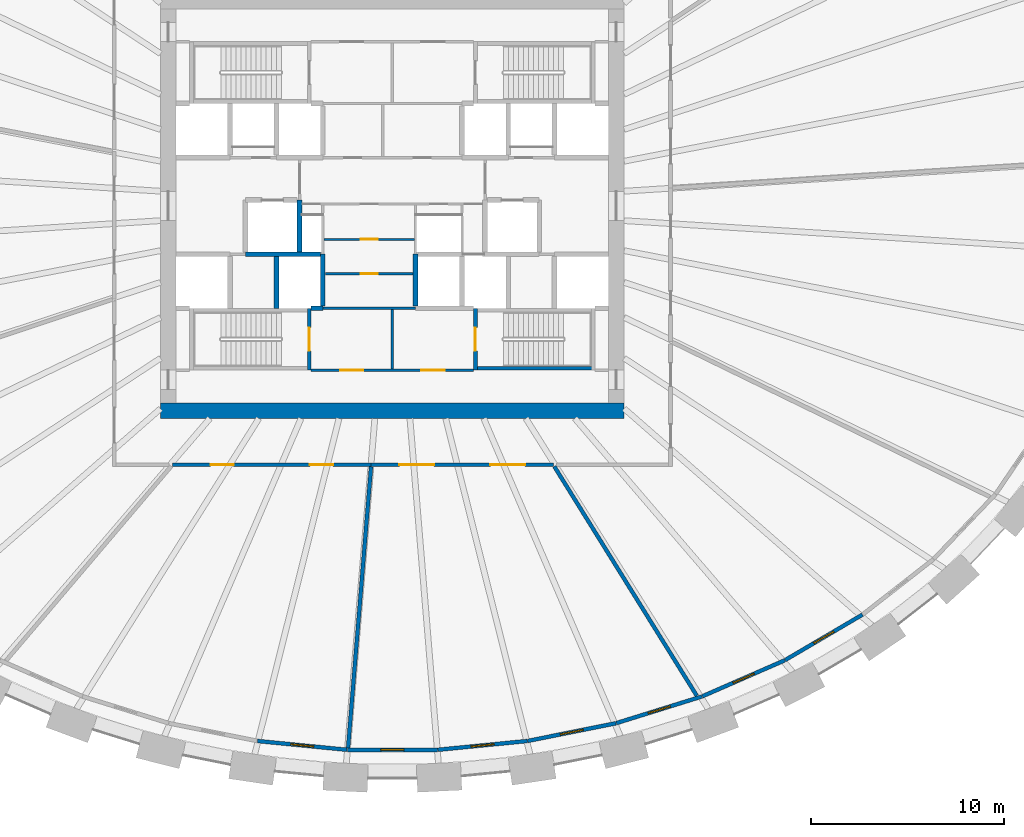
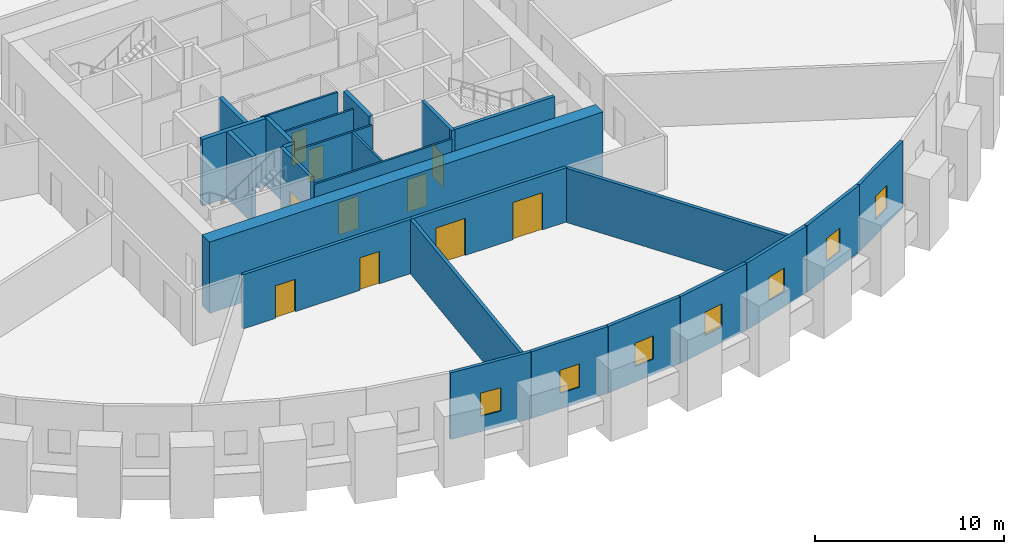
# One storey, part 4 of 9: 26 walls, 10 doors, 7 windows, 17 openings.
"""IFC4 building model written with IfcOpenShell, lengths in metres."""

from ifc_helpers import new_model, si_unit, direction, frame, frame_2d, origin, place, context, subcontext, project, spatial, rectangle, extrude, source, transform, mapped, material, layer, layer_set, type_object, element, fill, save


model = new_model("IFC4")

# Units and contexts
model_context = context("Model", 3, precision=1e-05, world=origin(), true_north=direction((0.0, 1.0)))
body_context = subcontext(model_context, "Body", "Model", "MODEL_VIEW")
ifc_project = project(units=[si_unit("LENGTHUNIT", "METRE"), si_unit("AREAUNIT", "SQUARE_METRE"), si_unit("VOLUMEUNIT", "CUBIC_METRE"), si_unit("PLANEANGLEUNIT", "RADIAN"), si_unit("MASSUNIT", "GRAM", prefix="KILO")], contexts=[model_context])

# Site, building, storey
site_placement = place(None, origin())
site = spatial("IfcSite", under=ifc_project, at=site_placement, CompositionType="ELEMENT")
building_placement = place(site_placement, origin())
building = spatial("IfcBuilding", under=site, at=building_placement, Name="Embergate Tower", CompositionType="ELEMENT")
storey_placement = place(building_placement, frame((0.0, 0.0, 147.60009765625)))
storey = spatial("IfcBuildingStorey", under=building, at=storey_placement, Name="L32", CompositionType="ELEMENT", Elevation=147.60009765625)

# Wall
ifc_material_1 = material(Name="Concrete C70", Category="concrete")
ifc_layer_1 = layer(ifc_material_1, 0.800048828125)
ifc_layer_set_1 = layer_set([ifc_layer_1], Name="Concrete C70")
wall_type_1 = type_object("IfcWallType", Name="Core outer wall C70 800", PredefinedType="SHEAR", material=ifc_layer_set_1)
shared_shape_1 = source(origin(), body_context, "Body", "SweptSolid", [
    extrude(rectangle(XDim=24.0, YDim=0.800048828125, at=frame_2d((12.0, 0.0))), origin(), (0.0, 0.0, 1.0), 4.599853515625),
])
wall_1_placement = place(storey_placement, frame((-12.0, -10.60009765625, -0.300048828125), z_axis=(0.0, 0.0, 1.0), x_axis=(1.0, 0.0, 0.0)))
element("IfcWall", 1, at=wall_1_placement, inside=storey, type_object=wall_type_1, Name="CW-L32-S", PredefinedType="SHEAR", context=body_context, shape_type="MappedRepresentation", body=[
    mapped(shared_shape_1, transform((0.0, 0.0, 0.0))),
])

# Wall, opening, window
ifc_material_2 = material(Name="Terracotta louvre cladding on insulated backing", Category="masonry")
ifc_layer_2 = layer(ifc_material_2, 0.199951171875)
ifc_layer_set_2 = layer_set([ifc_layer_2], Name="Terracotta louvre cladding on insulated backing")
wall_type_2 = type_object("IfcWallType", Name="Terracotta louvre wall", PredefinedType="SOLIDWALL", material=ifc_layer_set_2)
shared_shape_2 = source(origin(), body_context, "Body", "SweptSolid", [
    extrude(rectangle(XDim=4.64599609375, YDim=0.199951171875, at=frame_2d((2.322998046875, 0.0))), origin(), (0.0, 0.0, 1.0), 4.2998046875),
])
wall_2_placement = place(storey_placement, frame((24.33447265625, -21.158203125, 0.0), z_axis=(0.0, 0.0, 1.0), x_axis=(-0.86207197338, -0.506785864753, 0.0)))
wall_2 = element("IfcWall", 2, at=wall_2_placement, inside=storey, type_object=wall_type_2, Name="Louvre wall 38", PredefinedType="SOLIDWALL", context=body_context, shape_type="MappedRepresentation", body=[
    mapped(shared_shape_2, transform((0.0, 0.0, 0.0))),
])
shared_shape_3 = source(origin(), body_context, "Body", "SweptSolid", [
    extrude(rectangle(XDim=1.199951171875, YDim=1.5, at=frame_2d((0.60009765625, 0.75))), frame((0.0, 0.10986328125, 0.0), z_axis=(0.0, -1.0, 0.0), x_axis=(1.0, 0.0, 0.0)), (0.0, 0.0, 1.0), 0.219970703125),
])
opening_1_placement = place(wall_2_placement, frame((1.722900390625, 0.0, 1.0)))
opening_1 = element("IfcOpeningElement", 3, at=opening_1_placement, cuts=wall_2, Name="Opening RW", PredefinedType="OPENING", context=body_context, shape_type="MappedRepresentation", body=[
    mapped(shared_shape_3, transform((0.0, 0.0, 0.0))),
])
ifc_material_3 = material(Name="Aluminium, thermally broken, triple glazed", Category="aluminium")
window_type = type_object("IfcWindowType", Name="Refuge operable window", PartitioningType="SINGLE_PANEL", PredefinedType="WINDOW", material=ifc_material_3)
shared_shape_4 = source(origin(), body_context, "Body", "SweptSolid", [
    extrude(rectangle(XDim=1.199951171875, YDim=1.5, at=frame_2d((0.60009765625, 0.75))), frame((0.0, 0.030029296875, 0.0), z_axis=(0.0, -1.0, 0.0), x_axis=(1.0, 0.0, 0.0)), (0.0, 0.0, 1.0), 0.06005859375),
])
window_1_placement = place(opening_1_placement, origin())
window_1 = element("IfcWindow", 4, at=window_1_placement, inside=storey, type_object=window_type, Name="Refuge window 38", OverallHeight=1.5, OverallWidth=1.199951171875, PartitioningType="SINGLE_PANEL", PredefinedType="WINDOW", context=body_context, shape_type="MappedRepresentation", body=[
    mapped(shared_shape_4, transform((0.0, 0.0, 0.0))),
])
fill(opening_1, window_1)

shared_shape_5 = source(origin(), body_context, "Body", "SweptSolid", [
    extrude(rectangle(XDim=4.650634765625, YDim=0.199951171875, at=frame_2d((2.3251953125, 0.0))), origin(), (0.0, 0.0, 1.0), 4.2998046875),
])
wall_3_placement = place(storey_placement, frame((20.3115234375, -23.521728515625, 0.0), z_axis=(0.0, 0.0, 1.0), x_axis=(-0.916228406461, -0.400656345506, 0.0)))
wall_3 = element("IfcWall", 5, at=wall_3_placement, inside=storey, type_object=wall_type_2, Name="Louvre wall 37", PredefinedType="SOLIDWALL", context=body_context, shape_type="MappedRepresentation", body=[
    mapped(shared_shape_5, transform((0.0, 0.0, 0.0))),
])
opening_2_placement = place(wall_3_placement, frame((1.725341796875, 0.0, 1.0)))
opening_2 = element("IfcOpeningElement", 6, at=opening_2_placement, cuts=wall_3, Name="Opening RW", PredefinedType="OPENING", context=body_context, shape_type="MappedRepresentation", body=[
    mapped(shared_shape_3, transform((0.0, 0.0, 0.0))),
])
window_2_placement = place(opening_2_placement, origin())
window_2 = element("IfcWindow", 7, at=window_2_placement, inside=storey, type_object=window_type, Name="Refuge window 37", OverallHeight=1.5, OverallWidth=1.199951171875, PartitioningType="SINGLE_PANEL", PredefinedType="WINDOW", context=body_context, shape_type="MappedRepresentation", body=[
    mapped(shared_shape_4, transform((0.0, 0.0, 0.0))),
])
fill(opening_2, window_2)

shared_shape_6 = source(origin(), body_context, "Body", "SweptSolid", [
    extrude(rectangle(XDim=4.654052734375, YDim=0.199951171875, at=frame_2d((2.3271484375, 0.0))), origin(), (0.0, 0.0, 1.0), 4.2998046875),
])
wall_4_placement = place(storey_placement, frame((16.031982421875, -25.39208984375, 0.0), z_axis=(0.0, 0.0, 1.0), x_axis=(-0.954775397465, -0.297328001364, 0.0)))
wall_4 = element("IfcWall", 8, at=wall_4_placement, inside=storey, type_object=wall_type_2, Name="Louvre wall 36", PredefinedType="SOLIDWALL", context=body_context, shape_type="MappedRepresentation", body=[
    mapped(shared_shape_6, transform((0.0, 0.0, 0.0))),
])
opening_3_placement = place(wall_4_placement, frame((1.72705078125, 0.0, 1.0)))
opening_3 = element("IfcOpeningElement", 9, at=opening_3_placement, cuts=wall_4, Name="Opening RW", PredefinedType="OPENING", context=body_context, shape_type="MappedRepresentation", body=[
    mapped(shared_shape_3, transform((0.0, 0.0, 0.0))),
])
window_3_placement = place(opening_3_placement, origin())
window_3 = element("IfcWindow", 10, at=window_3_placement, inside=storey, type_object=window_type, Name="Refuge window 36", OverallHeight=1.5, OverallWidth=1.199951171875, PartitioningType="SINGLE_PANEL", PredefinedType="WINDOW", context=body_context, shape_type="MappedRepresentation", body=[
    mapped(shared_shape_4, transform((0.0, 0.0, 0.0))),
])
fill(opening_3, window_3)

shared_shape_7 = source(origin(), body_context, "Body", "SweptSolid", [
    extrude(rectangle(XDim=4.656005859375, YDim=0.199951171875, at=frame_2d((2.328125, 0.0))), origin(), (0.0, 0.0, 1.0), 4.2998046875),
])
wall_5_placement = place(storey_placement, frame((11.569091796875, -26.78076171875, 0.0), z_axis=(0.0, 0.0, 1.0), x_axis=(-0.980477688028, -0.196630372218, 0.0)))
wall_5 = element("IfcWall", 11, at=wall_5_placement, inside=storey, type_object=wall_type_2, Name="Louvre wall 35", PredefinedType="SOLIDWALL", context=body_context, shape_type="MappedRepresentation", body=[
    mapped(shared_shape_7, transform((0.0, 0.0, 0.0))),
])
opening_4_placement = place(wall_5_placement, frame((1.72802734375, 0.0, 1.0)))
opening_4 = element("IfcOpeningElement", 12, at=opening_4_placement, cuts=wall_5, Name="Opening RW", PredefinedType="OPENING", context=body_context, shape_type="MappedRepresentation", body=[
    mapped(shared_shape_3, transform((0.0, 0.0, 0.0))),
])
window_4_placement = place(opening_4_placement, origin())
window_4 = element("IfcWindow", 13, at=window_4_placement, inside=storey, type_object=window_type, Name="Refuge window 35", OverallHeight=1.5, OverallWidth=1.199951171875, PartitioningType="SINGLE_PANEL", PredefinedType="WINDOW", context=body_context, shape_type="MappedRepresentation", body=[
    mapped(shared_shape_4, transform((0.0, 0.0, 0.0))),
])
fill(opening_4, window_4)

shared_shape_8 = source(origin(), body_context, "Body", "SweptSolid", [
    extrude(rectangle(XDim=4.657470703125, YDim=0.199951171875, at=frame_2d((2.32861328125, 0.0))), origin(), (0.0, 0.0, 1.0), 4.2998046875),
])
wall_6_placement = place(storey_placement, frame((-2.348876953125, -28.15478515625, 0.0), z_axis=(0.0, 0.0, 1.0), x_axis=(-0.995204942031, 0.097811672908, 0.0)))
wall_6 = element("IfcWall", 14, at=wall_6_placement, inside=storey, type_object=wall_type_2, Name="Louvre wall 32", PredefinedType="SOLIDWALL", context=body_context, shape_type="MappedRepresentation", body=[
    mapped(shared_shape_8, transform((0.0, 0.0, 0.0))),
])
opening_5_placement = place(wall_6_placement, frame((1.728759765625, 0.0, 1.0)))
opening_5 = element("IfcOpeningElement", 15, at=opening_5_placement, cuts=wall_6, Name="Opening RW", PredefinedType="OPENING", context=body_context, shape_type="MappedRepresentation", body=[
    mapped(shared_shape_3, transform((0.0, 0.0, 0.0))),
])
window_5_placement = place(opening_5_placement, origin())
window_5 = element("IfcWindow", 16, at=window_5_placement, inside=storey, type_object=window_type, Name="Refuge window 32", OverallHeight=1.5, OverallWidth=1.199951171875, PartitioningType="SINGLE_PANEL", PredefinedType="WINDOW", context=body_context, shape_type="MappedRepresentation", body=[
    mapped(shared_shape_4, transform((0.0, 0.0, 0.0))),
])
fill(opening_5, window_5)

wall_7_placement = place(storey_placement, frame((6.984130859375, -27.69921875, 0.0), z_axis=(0.0, 0.0, 1.0), x_axis=(-0.995204942031, -0.097811672908, 0.0)))
wall_7 = element("IfcWall", 17, at=wall_7_placement, inside=storey, type_object=wall_type_2, Name="Louvre wall 34", PredefinedType="SOLIDWALL", context=body_context, shape_type="MappedRepresentation", body=[
    mapped(shared_shape_8, transform((0.0, 0.0, 0.0))),
])
opening_6_placement = place(wall_7_placement, frame((1.728759765625, 0.0, 1.0)))
opening_6 = element("IfcOpeningElement", 18, at=opening_6_placement, cuts=wall_7, Name="Opening RW", PredefinedType="OPENING", context=body_context, shape_type="MappedRepresentation", body=[
    mapped(shared_shape_3, transform((0.0, 0.0, 0.0))),
])
window_6_placement = place(opening_6_placement, origin())
window_6 = element("IfcWindow", 19, at=window_6_placement, inside=storey, type_object=window_type, Name="Refuge window 34", OverallHeight=1.5, OverallWidth=1.199951171875, PartitioningType="SINGLE_PANEL", PredefinedType="WINDOW", context=body_context, shape_type="MappedRepresentation", body=[
    mapped(shared_shape_4, transform((0.0, 0.0, 0.0))),
])
fill(opening_6, window_6)

shared_shape_9 = source(origin(), body_context, "Body", "SweptSolid", [
    extrude(rectangle(XDim=4.658203125, YDim=0.199951171875, at=frame_2d((2.3291015625, 0.0))), origin(), (0.0, 0.0, 1.0), 4.2998046875),
])
wall_8_placement = place(storey_placement, frame((2.3291015625, -28.156005859375, 0.0), z_axis=(0.0, 0.0, 1.0), x_axis=(-1.0, 0.0, 0.0)))
wall_8 = element("IfcWall", 20, at=wall_8_placement, inside=storey, type_object=wall_type_2, Name="Louvre wall 33", PredefinedType="SOLIDWALL", context=body_context, shape_type="MappedRepresentation", body=[
    mapped(shared_shape_9, transform((0.0, 0.0, 0.0))),
])
opening_7_placement = place(wall_8_placement, frame((1.72900390625, 0.0, 1.0)))
opening_7 = element("IfcOpeningElement", 21, at=opening_7_placement, cuts=wall_8, Name="Opening RW", PredefinedType="OPENING", context=body_context, shape_type="MappedRepresentation", body=[
    mapped(shared_shape_3, transform((0.0, 0.0, 0.0))),
])
window_7_placement = place(opening_7_placement, origin())
window_7 = element("IfcWindow", 22, at=window_7_placement, inside=storey, type_object=window_type, Name="Refuge window 33", OverallHeight=1.5, OverallWidth=1.199951171875, PartitioningType="SINGLE_PANEL", PredefinedType="WINDOW", context=body_context, shape_type="MappedRepresentation", body=[
    mapped(shared_shape_4, transform((0.0, 0.0, 0.0))),
])
fill(opening_7, window_7)

# Walls
ifc_material_4 = material(Name="Concrete C50", Category="concrete")
ifc_layer_3 = layer(ifc_material_4, 0.25)
ifc_layer_set_3 = layer_set([ifc_layer_3], Name="Concrete C50")
wall_type_3 = type_object("IfcWallType", Name="Hoistway wall reinforced concrete 250", PredefinedType="SHEAR", material=ifc_layer_set_3)
shared_shape_10 = source(origin(), body_context, "Body", "SweptSolid", [
    extrude(rectangle(XDim=2.675048828125, YDim=0.25, at=frame_2d((1.33740234375, 0.0))), origin(), (0.0, 0.0, 1.0), 4.2998046875),
])
for number, where, z_axis, x_axis, name in (
    (23, (-3.60009765625, -5.175048828125, 0.0), (0.0, 0.0, 1.0), (0.0, 1.0, 0.0), "HW-1 wall"),
    (24, (1.199951171875, -2.5, 0.0), (0.0, 0.0, 1.0), (0.0, -1.0, 0.0), "HW-1 wall"),
    (25, (-4.800048828125, 0.300048828125, 0.0), (0.0, 0.0, 1.0), (0.0, -1.0, 0.0), "HW-1 wall"),
):
    element("IfcWall", number, at=place(storey_placement, frame(where, z_axis=z_axis, x_axis=x_axis)), inside=storey, type_object=wall_type_3, Name=name, PredefinedType="SHEAR", context=body_context, shape_type="MappedRepresentation", body=[
        mapped(shared_shape_10, transform((0.0, 0.0, 0.0))),
    ])
ifc_layer_4 = layer(ifc_material_4, 0.199951171875)
ifc_layer_set_4 = layer_set([ifc_layer_4], Name="Concrete C50")
wall_type_4 = type_object("IfcWallType", Name="Stair enclosure wall reinforced concrete 250", PredefinedType="SHEAR", material=ifc_layer_set_4)
shared_shape_11 = source(origin(), body_context, "Body", "SweptSolid", [
    extrude(rectangle(XDim=6.300048828125, YDim=0.199951171875, at=frame_2d((3.14990234375, 0.0))), origin(), (0.0, 0.0, 1.0), 4.2998046875),
])
wall_9_placement = place(storey_placement, frame((4.199951171875, -8.39990234375, 0.0), z_axis=(0.0, 0.0, 1.0), x_axis=(1.0, 0.0, 0.0)))
element("IfcWall", 26, at=wall_9_placement, inside=storey, type_object=wall_type_4, Name="SE-1 wall", PredefinedType="SHEAR", context=body_context, shape_type="MappedRepresentation", body=[
    mapped(shared_shape_11, transform((0.0, 0.0, 0.0))),
])

# Wall, opening, door
shared_shape_12 = source(origin(), body_context, "Body", "SweptSolid", [
    extrude(rectangle(XDim=3.199951171875, YDim=0.199951171875, at=frame_2d((1.60009765625, 0.0))), origin(), (0.0, 0.0, 1.0), 4.2998046875),
])
wall_10_placement = place(storey_placement, frame((-4.300048828125, -8.5, 0.0), z_axis=(0.0, 0.0, 1.0), x_axis=(0.0, 1.0, 0.0)))
wall_10 = element("IfcWall", 27, at=wall_10_placement, inside=storey, type_object=wall_type_4, Name="SE-1 wall", PredefinedType="SHEAR", context=body_context, shape_type="MappedRepresentation", body=[
    mapped(shared_shape_12, transform((0.0, 0.0, 0.0))),
])
shared_shape_13 = source(origin(), body_context, "Body", "SweptSolid", [
    extrude(rectangle(XDim=1.199951171875, YDim=2.10009765625, at=frame_2d((0.60009765625, 1.050048828125))), frame((0.0, 0.10986328125, 0.0), z_axis=(0.0, -1.0, 0.0), x_axis=(1.0, 0.0, 0.0)), (0.0, 0.0, 1.0), 0.219970703125),
])
opening_8_placement = place(wall_10_placement, frame((1.0, 0.0, 0.0)))
opening_8 = element("IfcOpeningElement", 28, at=opening_8_placement, cuts=wall_10, Name="Opening IF-2", PredefinedType="OPENING", context=body_context, shape_type="MappedRepresentation", body=[
    mapped(shared_shape_13, transform((0.0, 0.0, 0.0))),
])
ifc_material_5 = material(Name="Stair enclosure door 1200")
door_type_1 = type_object("IfcDoorType", Name="Stair enclosure door 1200", OperationType="SINGLE_SWING_LEFT", PredefinedType="DOOR", material=ifc_material_5)
shared_shape_14 = source(origin(), body_context, "Body", "SweptSolid", [
    extrude(rectangle(XDim=1.199951171875, YDim=2.10009765625, at=frame_2d((0.60009765625, 1.050048828125))), frame((0.0, 0.02490234375, 0.0), z_axis=(0.0, -1.0, 0.0), x_axis=(1.0, 0.0, 0.0)), (0.0, 0.0, 1.0), 0.050048828125),
])
door_1_placement = place(opening_8_placement, origin())
door_1 = element("IfcDoor", 29, at=door_1_placement, inside=storey, type_object=door_type_1, Name="IF-2 door", OperationType="SINGLE_SWING_RIGHT", OverallHeight=2.10009765625, OverallWidth=1.199951171875, PredefinedType="DOOR", context=body_context, shape_type="MappedRepresentation", body=[
    mapped(shared_shape_14, transform((0.0, 0.0, 0.0))),
])
fill(opening_8, door_1)

wall_11_placement = place(storey_placement, frame((4.300048828125, -5.300048828125, 0.0), z_axis=(0.0, 0.0, 1.0), x_axis=(0.0, -1.0, 0.0)))
wall_11 = element("IfcWall", 30, at=wall_11_placement, inside=storey, type_object=wall_type_4, Name="SE-1 wall", PredefinedType="SHEAR", context=body_context, shape_type="MappedRepresentation", body=[
    mapped(shared_shape_12, transform((0.0, 0.0, 0.0))),
])
opening_9_placement = place(wall_11_placement, frame((1.0, 0.0, 0.0)))
opening_9 = element("IfcOpeningElement", 31, at=opening_9_placement, cuts=wall_11, Name="Opening IF-2", PredefinedType="OPENING", context=body_context, shape_type="MappedRepresentation", body=[
    mapped(shared_shape_13, transform((0.0, 0.0, 0.0))),
])
door_2_placement = place(opening_9_placement, origin())
door_2 = element("IfcDoor", 32, at=door_2_placement, inside=storey, type_object=door_type_1, Name="IF-2 door", OperationType="SINGLE_SWING_LEFT", OverallHeight=2.10009765625, OverallWidth=1.199951171875, PredefinedType="DOOR", context=body_context, shape_type="MappedRepresentation", body=[
    mapped(shared_shape_14, transform((0.0, 0.0, 0.0))),
])
fill(opening_9, door_2)

# Wall, openings, doors
ifc_material_6 = material(Name="Core partition blockwork 120")
ifc_layer_5 = layer(ifc_material_6, 0.1201171875)
ifc_layer_set_5 = layer_set([ifc_layer_5], Name="Core partition blockwork 120")
wall_type_5 = type_object("IfcWallType", Name="Core partition blockwork 120", PredefinedType="PARTITIONING", material=ifc_layer_set_5)
shared_shape_15 = source(origin(), body_context, "Body", "SweptSolid", [
    extrude(rectangle(XDim=8.39990234375, YDim=0.1201171875, at=frame_2d((4.199951171875, 0.0))), origin(), (0.0, 0.0, 1.0), 3.7998046875),
])
wall_12_placement = place(storey_placement, frame((-4.199951171875, -8.5, 0.0), z_axis=(0.0, 0.0, 1.0), x_axis=(1.0, 0.0, 0.0)))
wall_12 = element("IfcWall", 33, at=wall_12_placement, inside=storey, type_object=wall_type_5, Name="IP-3 wall", PredefinedType="PARTITIONING", context=body_context, shape_type="MappedRepresentation", body=[
    mapped(shared_shape_15, transform((0.0, 0.0, 0.0))),
])
shared_shape_16 = source(origin(), body_context, "Body", "SweptSolid", [
    extrude(rectangle(XDim=1.199951171875, YDim=2.10009765625, at=frame_2d((0.60009765625, 1.050048828125))), frame((0.0, 0.070068359375, 0.0), z_axis=(0.0, -1.0, 0.0), x_axis=(1.0, 0.0, 0.0)), (0.0, 0.0, 1.0), 0.14013671875),
])
opening_10_placement = place(wall_12_placement, frame((1.5, 0.0, 0.0)))
opening_10 = element("IfcOpeningElement", 34, at=opening_10_placement, cuts=wall_12, Name="Opening IF-3f", PredefinedType="OPENING", context=body_context, shape_type="MappedRepresentation", body=[
    mapped(shared_shape_16, transform((0.0, 0.0, 0.0))),
])
opening_11_placement = place(wall_12_placement, frame((5.699951171875, 0.0, 0.0)))
opening_11 = element("IfcOpeningElement", 35, at=opening_11_placement, cuts=wall_12, Name="Opening IF-3f", PredefinedType="OPENING", context=body_context, shape_type="MappedRepresentation", body=[
    mapped(shared_shape_16, transform((0.0, 0.0, 0.0))),
])
ifc_material_7 = material(Name="Lobby fire door pair 1200")
door_type_2 = type_object("IfcDoorType", Name="Lobby fire door pair 1200", OperationType="DOUBLE_DOOR_SINGLE_SWING", PredefinedType="DOOR", material=ifc_material_7)
door_3_placement = place(opening_10_placement, origin())
door_3 = element("IfcDoor", 36, at=door_3_placement, inside=storey, type_object=door_type_2, Name="IF-3 door", OperationType="DOUBLE_DOOR_SINGLE_SWING", OverallHeight=2.10009765625, OverallWidth=1.199951171875, PredefinedType="DOOR", context=body_context, shape_type="MappedRepresentation", body=[
    mapped(shared_shape_14, transform((0.0, 0.0, 0.0))),
])
fill(opening_10, door_3)
door_4_placement = place(opening_11_placement, origin())
door_4 = element("IfcDoor", 37, at=door_4_placement, inside=storey, type_object=door_type_2, Name="IF-3 door", OperationType="DOUBLE_DOOR_SINGLE_SWING", OverallHeight=2.10009765625, OverallWidth=1.199951171875, PredefinedType="DOOR", context=body_context, shape_type="MappedRepresentation", body=[
    mapped(shared_shape_14, transform((0.0, 0.0, 0.0))),
])
fill(opening_11, door_4)

# Walls
shared_shape_17 = source(origin(), body_context, "Body", "SweptSolid", [
    extrude(rectangle(XDim=0.599853515625, YDim=0.25, at=frame_2d((0.2998046875, 0.0))), origin(), (0.0, 0.0, 1.0), 4.2998046875),
])
wall_13_placement = place(storey_placement, frame((-4.199951171875, -5.300048828125, 0.0), z_axis=(0.0, 0.0, 1.0), x_axis=(1.0, 0.0, 0.0)))
element("IfcWall", 38, at=wall_13_placement, inside=storey, type_object=wall_type_3, Name="HW-1 wall", PredefinedType="SHEAR", context=body_context, shape_type="MappedRepresentation", body=[
    mapped(shared_shape_17, transform((0.0, 0.0, 0.0))),
])
shared_shape_18 = source(origin(), body_context, "Body", "SweptSolid", [
    extrude(rectangle(XDim=3.872802734375, YDim=0.25, at=frame_2d((1.9365234375, 0.0))), origin(), (0.0, 0.0, 1.0), 4.2998046875),
])
wall_14_placement = place(storey_placement, frame((-3.72509765625, -2.5, 0.0), z_axis=(0.0, 0.0, 1.0), x_axis=(-1.0, 0.0, 0.0)))
element("IfcWall", 39, at=wall_14_placement, inside=storey, type_object=wall_type_3, Name="HW-1 wall", PredefinedType="SHEAR", context=body_context, shape_type="MappedRepresentation", body=[
    mapped(shared_shape_18, transform((0.0, 0.0, 0.0))),
])
shared_shape_19 = source(origin(), body_context, "Body", "SweptSolid", [
    extrude(rectangle(XDim=3.079833984375, YDim=0.1201171875, at=frame_2d((1.5400390625, 0.0))), origin(), (0.0, 0.0, 1.0), 3.7998046875),
])
wall_15_placement = place(storey_placement, frame((0.0, -8.43994140625, 0.0), z_axis=(0.0, 0.0, 1.0), x_axis=(0.0, 1.0, 0.0)))
element("IfcWall", 40, at=wall_15_placement, inside=storey, type_object=wall_type_5, Name="IP-3 wall", PredefinedType="PARTITIONING", context=body_context, shape_type="MappedRepresentation", body=[
    mapped(shared_shape_19, transform((0.0, 0.0, 0.0))),
])
shared_shape_20 = source(origin(), body_context, "Body", "SweptSolid", [
    extrude(rectangle(XDim=4.800048828125, YDim=0.1201171875, at=frame_2d((2.39990234375, 0.0))), origin(), (0.0, 0.0, 1.0), 3.7998046875),
])
wall_16_placement = place(storey_placement, frame((1.199951171875, -5.300048828125, 0.0), z_axis=(0.0, 0.0, 1.0), x_axis=(-1.0, 0.0, 0.0)))
element("IfcWall", 41, at=wall_16_placement, inside=storey, type_object=wall_type_5, Name="IP-3 wall", PredefinedType="PARTITIONING", context=body_context, shape_type="MappedRepresentation", body=[
    mapped(shared_shape_20, transform((0.0, 0.0, 0.0))),
])

# Wall, opening, door
shared_shape_21 = source(origin(), body_context, "Body", "SweptSolid", [
    extrude(rectangle(XDim=4.550048828125, YDim=0.1201171875, at=frame_2d((2.27490234375, 0.0))), origin(), (0.0, 0.0, 1.0), 3.7998046875),
])
wall_17_placement = place(storey_placement, frame((1.074951171875, -3.51806640625, 0.0), z_axis=(0.0, 0.0, 1.0), x_axis=(-1.0, 0.0, 0.0)))
wall_17 = element("IfcWall", 42, at=wall_17_placement, inside=storey, type_object=wall_type_5, Name="IP-3 wall", PredefinedType="PARTITIONING", context=body_context, shape_type="MappedRepresentation", body=[
    mapped(shared_shape_21, transform((0.0, 0.0, 0.0))),
])
shared_shape_22 = source(origin(), body_context, "Body", "SweptSolid", [
    extrude(rectangle(XDim=0.89990234375, YDim=2.10009765625, at=frame_2d((0.449951171875, 1.050048828125))), frame((0.0, 0.070068359375, 0.0), z_axis=(0.0, -1.0, 0.0), x_axis=(1.0, 0.0, 0.0)), (0.0, 0.0, 1.0), 0.14013671875),
])
opening_12_placement = place(wall_17_placement, frame((1.824951171875, 0.0, 0.0)))
opening_12 = element("IfcOpeningElement", 43, at=opening_12_placement, cuts=wall_17, Name="Opening ID-1", PredefinedType="OPENING", context=body_context, shape_type="MappedRepresentation", body=[
    mapped(shared_shape_22, transform((0.0, 0.0, 0.0))),
])
ifc_material_8 = material(Name="Interior door 900")
door_type_3 = type_object("IfcDoorType", Name="Interior door 900", OperationType="SINGLE_SWING_LEFT", PredefinedType="DOOR", material=ifc_material_8)
shared_shape_23 = source(origin(), body_context, "Body", "SweptSolid", [
    extrude(rectangle(XDim=0.89990234375, YDim=2.10009765625, at=frame_2d((0.449951171875, 1.050048828125))), frame((0.0, 0.02490234375, 0.0), z_axis=(0.0, -1.0, 0.0), x_axis=(1.0, 0.0, 0.0)), (0.0, 0.0, 1.0), 0.050048828125),
])
door_5_placement = place(opening_12_placement, origin())
door_5 = element("IfcDoor", 44, at=door_5_placement, inside=storey, type_object=door_type_3, Name="ID-1 door", OperationType="SINGLE_SWING_LEFT", OverallHeight=2.10009765625, OverallWidth=0.89990234375, PredefinedType="DOOR", context=body_context, shape_type="MappedRepresentation", body=[
    mapped(shared_shape_23, transform((0.0, 0.0, 0.0))),
])
fill(opening_12, door_5)

shared_shape_24 = source(origin(), body_context, "Body", "SweptSolid", [
    extrude(rectangle(XDim=4.679931640625, YDim=0.1201171875, at=frame_2d((2.33984375, 0.0))), origin(), (0.0, 0.0, 1.0), 3.7998046875),
])
wall_18_placement = place(storey_placement, frame((1.139892578125, -1.736083984375, 0.0), z_axis=(0.0, 0.0, 1.0), x_axis=(-1.0, 0.0, 0.0)))
wall_18 = element("IfcWall", 45, at=wall_18_placement, inside=storey, type_object=wall_type_5, Name="IP-3 wall", PredefinedType="PARTITIONING", context=body_context, shape_type="MappedRepresentation", body=[
    mapped(shared_shape_24, transform((0.0, 0.0, 0.0))),
])
opening_13_placement = place(wall_18_placement, frame((1.889892578125, 0.0, 0.0)))
opening_13 = element("IfcOpeningElement", 46, at=opening_13_placement, cuts=wall_18, Name="Opening ID-1", PredefinedType="OPENING", context=body_context, shape_type="MappedRepresentation", body=[
    mapped(shared_shape_22, transform((0.0, 0.0, 0.0))),
])
door_6_placement = place(opening_13_placement, origin())
door_6 = element("IfcDoor", 47, at=door_6_placement, inside=storey, type_object=door_type_3, Name="ID-1 door", OperationType="SINGLE_SWING_RIGHT", OverallHeight=2.10009765625, OverallWidth=0.89990234375, PredefinedType="DOOR", context=body_context, shape_type="MappedRepresentation", body=[
    mapped(shared_shape_23, transform((0.0, 0.0, 0.0))),
])
fill(opening_13, door_6)

# Wall
shared_shape_25 = source(origin(), body_context, "Body", "SweptSolid", [
    extrude(rectangle(XDim=2.671142578125, YDim=0.25, at=frame_2d((1.33544921875, 0.0))), origin(), (0.0, 0.0, 1.0), 4.2998046875),
])
wall_19_placement = place(storey_placement, frame((-6.0, -2.626953125, 0.0), z_axis=(0.0, 0.0, 1.0), x_axis=(0.0, -1.0, 0.0)))
element("IfcWall", 48, at=wall_19_placement, inside=storey, type_object=wall_type_3, Name="HW-1 wall", PredefinedType="SHEAR", context=body_context, shape_type="MappedRepresentation", body=[
    mapped(shared_shape_25, transform((0.0, 0.0, 0.0))),
])

# Wall, openings, doors
ifc_material_9 = material(Name="Blockwork, plastered", Category="masonry")
ifc_layer_6 = layer(ifc_material_9, 0.199951171875)
ifc_layer_set_6 = layer_set([ifc_layer_6], Name="Blockwork, plastered")
wall_type_6 = type_object("IfcWallType", Name="Fire partition wall 200 block", PredefinedType="PARTITIONING", material=ifc_layer_set_6)
shared_shape_26 = source(origin(), body_context, "Body", "SweptSolid", [
    extrude(rectangle(XDim=10.2890625, YDim=0.199951171875, at=frame_2d((5.14453125, 0.0))), origin(), (0.0, 0.0, 1.0), 3.5),
])
wall_20_placement = place(storey_placement, frame((-1.095947265625, -13.39990234375, 0.0), z_axis=(0.0, 0.0, 1.0), x_axis=(-1.0, 0.0, 0.0)))
wall_20 = element("IfcWall", 49, at=wall_20_placement, inside=storey, type_object=wall_type_6, Name="Partition 012", PredefinedType="PARTITIONING", context=body_context, shape_type="MappedRepresentation", body=[
    mapped(shared_shape_26, transform((0.0, 0.0, 0.0))),
])
opening_14_placement = place(wall_20_placement, frame((1.971923828125, 0.0, 0.0)))
opening_14 = element("IfcOpeningElement", 50, at=opening_14_placement, cuts=wall_20, Name="Opening DS-191", PredefinedType="OPENING", context=body_context, shape_type="MappedRepresentation", body=[
    mapped(shared_shape_13, transform((0.0, 0.0, 0.0))),
])
opening_15_placement = place(wall_20_placement, frame((7.116943359375, 0.0, 0.0)))
opening_15 = element("IfcOpeningElement", 51, at=opening_15_placement, cuts=wall_20, Name="Opening DS-192", PredefinedType="OPENING", context=body_context, shape_type="MappedRepresentation", body=[
    mapped(shared_shape_13, transform((0.0, 0.0, 0.0))),
])
ifc_material_10 = material(Name="Timber door leaf, steel frame", Category="steel")
door_type_4 = type_object("IfcDoorType", Name="Plant door 1200x2100", OperationType="SINGLE_SWING_LEFT", PredefinedType="DOOR", material=ifc_material_10)
shared_shape_27 = source(origin(), body_context, "Body", "SweptSolid", [
    extrude(rectangle(XDim=1.199951171875, YDim=2.10009765625, at=frame_2d((0.60009765625, 1.050048828125))), frame((0.0, 0.02490234375, 0.0), z_axis=(0.0, -1.0, 0.0), x_axis=(1.0, 0.0, 0.0)), (0.0, 0.0, 1.0), 0.050048828125),
])
door_7_placement = place(opening_14_placement, origin())
door_7 = element("IfcDoor", 52, at=door_7_placement, inside=storey, type_object=door_type_4, Name="Door to Transformer room", OperationType="SINGLE_SWING_LEFT", OverallHeight=2.10009765625, OverallWidth=1.199951171875, PredefinedType="DOOR", context=body_context, shape_type="MappedRepresentation", body=[
    mapped(shared_shape_27, transform((0.0, 0.0, 0.0))),
])
fill(opening_14, door_7)
door_8_placement = place(opening_15_placement, origin())
door_8 = element("IfcDoor", 53, at=door_8_placement, inside=storey, type_object=door_type_4, Name="Door to Transformer room", OperationType="SINGLE_SWING_LEFT", OverallHeight=2.10009765625, OverallWidth=1.199951171875, PredefinedType="DOOR", context=body_context, shape_type="MappedRepresentation", body=[
    mapped(shared_shape_27, transform((0.0, 0.0, 0.0))),
])
fill(opening_15, door_8)

# Wall
shared_shape_28 = source(origin(), body_context, "Body", "SweptSolid", [
    extrude(rectangle(XDim=14.610595703125, YDim=0.199951171875, at=frame_2d((7.30517578125, 0.0))), origin(), (0.0, 0.0, 1.0), 3.5),
])
wall_21_placement = place(storey_placement, frame((-1.10400390625, -13.5, 0.0), z_axis=(0.0, 0.0, 1.0), x_axis=(-0.081443989254, -0.9966779202, 0.0)))
element("IfcWall", 54, at=wall_21_placement, inside=storey, type_object=wall_type_6, Name="Partition 013", PredefinedType="PARTITIONING", context=body_context, shape_type="MappedRepresentation", body=[
    mapped(shared_shape_28, transform((0.0, 0.0, 0.0))),
])

# Wall, openings, doors
shared_shape_29 = source(origin(), body_context, "Body", "SweptSolid", [
    extrude(rectangle(XDim=9.425048828125, YDim=0.199951171875, at=frame_2d((4.71240234375, 0.0))), origin(), (0.0, 0.0, 1.0), 3.5),
])
wall_22_placement = place(storey_placement, frame((8.3291015625, -13.39990234375, 0.0), z_axis=(0.0, 0.0, 1.0), x_axis=(-1.0, 0.0, 0.0)))
wall_22 = element("IfcWall", 55, at=wall_22_placement, inside=storey, type_object=wall_type_6, Name="Partition 016", PredefinedType="PARTITIONING", context=body_context, shape_type="MappedRepresentation", body=[
    mapped(shared_shape_29, transform((0.0, 0.0, 0.0))),
])
shared_shape_30 = source(origin(), body_context, "Body", "SweptSolid", [
    extrude(rectangle(XDim=1.800048828125, YDim=2.39990234375, at=frame_2d((0.89990234375, 1.199951171875))), frame((0.0, 0.10986328125, 0.0), z_axis=(0.0, -1.0, 0.0), x_axis=(1.0, 0.0, 0.0)), (0.0, 0.0, 1.0), 0.219970703125),
])
opening_16_placement = place(wall_22_placement, frame((1.4560546875, 0.0, 0.0)))
opening_16 = element("IfcOpeningElement", 56, at=opening_16_placement, cuts=wall_22, Name="Opening DS-193", PredefinedType="OPENING", context=body_context, shape_type="MappedRepresentation", body=[
    mapped(shared_shape_30, transform((0.0, 0.0, 0.0))),
])
opening_17_placement = place(wall_22_placement, frame((6.1689453125, 0.0, 0.0)))
opening_17 = element("IfcOpeningElement", 57, at=opening_17_placement, cuts=wall_22, Name="Opening DS-194", PredefinedType="OPENING", context=body_context, shape_type="MappedRepresentation", body=[
    mapped(shared_shape_30, transform((0.0, 0.0, 0.0))),
])
door_type_5 = type_object("IfcDoorType", Name="Double door 1800x2400", OperationType="DOUBLE_DOOR_SINGLE_SWING", PredefinedType="DOOR", material=ifc_material_10)
shared_shape_31 = source(origin(), body_context, "Body", "SweptSolid", [
    extrude(rectangle(XDim=1.800048828125, YDim=2.39990234375, at=frame_2d((0.89990234375, 1.199951171875))), frame((0.0, 0.02490234375, 0.0), z_axis=(0.0, -1.0, 0.0), x_axis=(1.0, 0.0, 0.0)), (0.0, 0.0, 1.0), 0.050048828125),
])
door_9_placement = place(opening_16_placement, origin())
door_9 = element("IfcDoor", 58, at=door_9_placement, inside=storey, type_object=door_type_5, Name="Door to Refuge area", OperationType="SINGLE_SWING_LEFT", OverallHeight=2.39990234375, OverallWidth=1.800048828125, PredefinedType="DOOR", context=body_context, shape_type="MappedRepresentation", body=[
    mapped(shared_shape_31, transform((0.0, 0.0, 0.0))),
])
fill(opening_16, door_9)
door_10_placement = place(opening_17_placement, origin())
door_10 = element("IfcDoor", 59, at=door_10_placement, inside=storey, type_object=door_type_5, Name="Door to Refuge area", OperationType="SINGLE_SWING_LEFT", OverallHeight=2.39990234375, OverallWidth=1.800048828125, PredefinedType="DOOR", context=body_context, shape_type="MappedRepresentation", body=[
    mapped(shared_shape_31, transform((0.0, 0.0, 0.0))),
])
fill(opening_17, door_10)

# Wall
shared_shape_32 = source(origin(), body_context, "Body", "SweptSolid", [
    extrude(rectangle(XDim=13.97900390625, YDim=0.199951171875, at=frame_2d((6.989501953125, 0.0))), origin(), (0.0, 0.0, 1.0), 3.5),
])
wall_23_placement = place(storey_placement, frame((8.382080078125, -13.485107421875, 0.0), z_axis=(0.0, 0.0, 1.0), x_axis=(0.527857514739, -0.849332940685, 0.0)))
element("IfcWall", 60, at=wall_23_placement, inside=storey, type_object=wall_type_6, Name="Partition 017", PredefinedType="PARTITIONING", context=body_context, shape_type="MappedRepresentation", body=[
    mapped(shared_shape_32, transform((0.0, 0.0, 0.0))),
])

save(model, "model.ifc")
